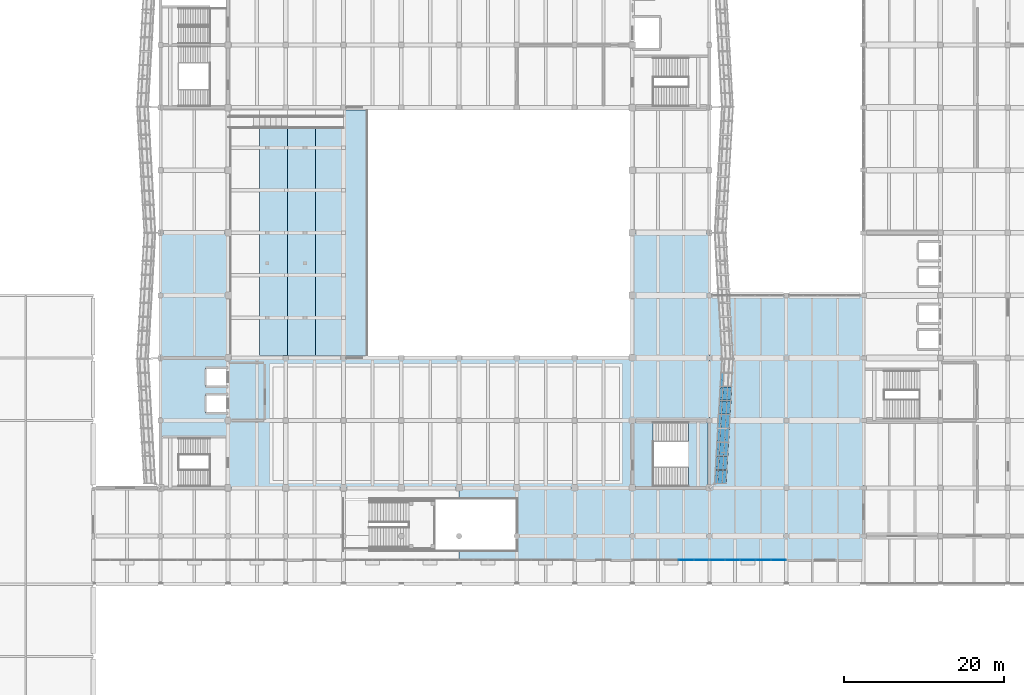
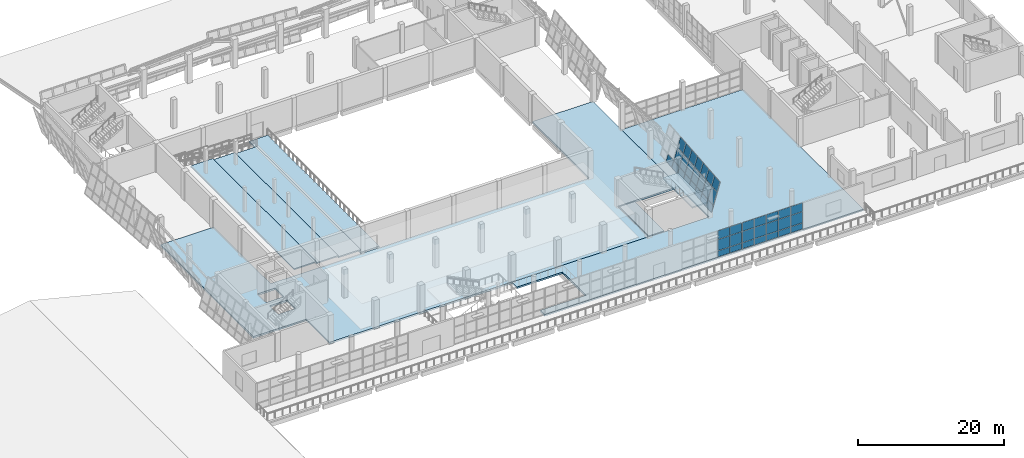
# One storey, part 51 of 79: 43 plates, 8 slabs, 4 elements without a shape of their own.
"""IFC4 building model written with IfcOpenShell, lengths in metres."""

from ifc_helpers import new_model, si_unit, direction, frame, origin, place, context, subcontext, project, spatial, polyline, outline, extrude, material, layer, layer_set, type_object, element, aggregate, save


model = new_model("IFC4")

# Units and contexts
model_context = context("Model", 3, precision=1e-05, world=origin(), true_north=direction((0.0, 1.0)))
body_context = subcontext(model_context, "Body", "Model", "MODEL_VIEW")
ifc_project = project(units=[si_unit("LENGTHUNIT", "METRE"), si_unit("AREAUNIT", "SQUARE_METRE"), si_unit("VOLUMEUNIT", "CUBIC_METRE"), si_unit("PLANEANGLEUNIT", "RADIAN"), si_unit("MASSUNIT", "GRAM", prefix="KILO")], contexts=[model_context])

# Site, building, storey
site_placement = place(None, origin())
site = spatial("IfcSite", under=ifc_project, at=site_placement, CompositionType="ELEMENT")
building_placement = place(site_placement, origin())
building = spatial("IfcBuilding", under=site, at=building_placement, Name="Pellamere Symphony Hall", CompositionType="ELEMENT")
storey_placement = place(building_placement, frame((0.0, 0.0, 10.199951171875)))
storey = spatial("IfcBuildingStorey", under=building, at=storey_placement, Name="L02", CompositionType="ELEMENT", Elevation=10.199951171875)

# Curtain wall, plates
ifc_material_1 = material(Name="Thermally Broken Anodised Aluminium 6063-T6 Curtain Wall", Category="aluminium")
curtain_wall_type_1 = type_object("IfcCurtainWallType", Name="Curtain Wall CW-01 (Tilted Faceted Crystal Low-Iron Curtain Wall)", PredefinedType="NOTDEFINED", material=ifc_material_1)
curtain_wall_1_placement = place(storey_placement, origin())
curtain_wall_1 = element("IfcCurtainWall", 1, at=curtain_wall_1_placement, inside=storey, type_object=curtain_wall_type_1, Name="Crystal Faceted Curtain Wall CW-CR06 (L02)", PredefinedType="NOTDEFINED")
ifc_material_2 = material(Name="Pre-Weathered Quartz-Zinc Faceted Cladding Cassette", Category="aluminium")
ifc_layer_1 = layer(ifc_material_2, 0.0400390625, Name="Pre-Weathered Quartz-Zinc Faceted Cladding Cassette")
ifc_layer_set_1 = layer_set([ifc_layer_1], Name="Pre-Weathered Quartz-Zinc Faceted Cladding Cassette")
plate_type_1 = type_object("IfcPlateType", Name="Facade Panel CL-01 40mm", PredefinedType="CURTAIN_PANEL", material=ifc_layer_set_1)
plate_1_placement = place(storey_placement, frame((119.4755859375, 30.574951171875, 0.072021484375), z_axis=(-0.957350518643, 0.055228987595, 0.283601381137), x_axis=(0.057593652861, 0.998340107954, 0.0)))
plate_1 = element("IfcPlate", 2, at=plate_1_placement, type_object=plate_type_1, Name="CW1-006 crystal glass panel 1.1", PredefinedType="CURTAIN_PANEL", context=body_context, shape_type="SweptSolid", body=[
    extrude(outline(polyline([(0.0, 0.0), (1.6235445180063734, 3.469446951953614e-18), (1.6413597421702713, -1.0888971082762222), (0.01781522416389773, -1.0888971082762222), (0.0, 0.0)])), origin(), (0.0, 0.0, -1.0), 0.0400390625),
])
plate_2_placement = place(storey_placement, frame((119.80615234375, 30.574951171875, 1.18798828125), z_axis=(-0.957348061132, 0.055228845822, 0.283609704409), x_axis=(0.057593652861, 0.998340107954, 0.0)))
plate_2 = element("IfcPlate", 3, at=plate_2_placement, type_object=plate_type_1, Name="CW1-006 crystal glass panel 1.2", PredefinedType="CURTAIN_PANEL", context=body_context, shape_type="SweptSolid", body=[
    extrude(outline(polyline([(0.0, 0.0), (1.6235445180063734, 3.469446951953614e-18), (1.6567143000131885, -2.027334564264273), (0.033169782006815106, -2.027334564264273), (0.0, 0.0)])), origin(), (0.0, 0.0, -1.0), 0.0400390625),
])
plate_3_placement = place(storey_placement, frame((120.4033203125, 30.574951171875, 3.2041015625), z_axis=(-0.957354812195, 0.055229235287, 0.283586838793), x_axis=(0.057593652861, 0.998340107954, 0.0)))
plate_3 = element("IfcPlate", 4, at=plate_3_placement, type_object=plate_type_1, Name="CW1-006 crystal glass panel 1.3", PredefinedType="CURTAIN_PANEL", context=body_context, shape_type="SweptSolid", body=[
    extrude(outline(polyline([(0.0, 0.0), (1.6235445180063734, 6.938893903907228e-18), (1.6495432153063316, -1.589166534275083), (0.02599869729995809, -1.589166534275083), (0.0, 0.0)])), origin(), (0.0, 0.0, -1.0), 0.0400390625),
])
plate_4_placement = place(storey_placement, frame((119.573486328125, 32.270751953125, 0.072021484375), z_axis=(-0.957349655397, 0.055245262022, 0.283601125412), x_axis=(0.057610619545, 0.998339129012, 0.0)))
plate_4 = element("IfcPlate", 5, at=plate_4_placement, type_object=plate_type_1, Name="CW1-006 crystal glass panel 2.1", PredefinedType="CURTAIN_PANEL", context=body_context, shape_type="SweptSolid", body=[
    extrude(outline(polyline([(0.0, 0.0), (1.6612063149993754, -3.469446951953614e-18), (1.67902678740273, -1.0888970223981924), (0.017820472403354506, -1.0888970223981924), (0.0, 0.0)])), origin(), (0.0, 0.0, -1.0), 0.0400390625),
])
plate_5_placement = place(storey_placement, frame((119.904052734375, 32.270751953125, 1.18798828125), z_axis=(-0.957347197893, 0.055245120208, 0.283609448679), x_axis=(0.057610619545, 0.998339129012, 0.0)))
plate_5 = element("IfcPlate", 6, at=plate_5_placement, type_object=plate_type_1, Name="CW1-006 crystal glass panel 2.2", PredefinedType="CURTAIN_PANEL", context=body_context, shape_type="SweptSolid", body=[
    extrude(outline(polyline([(0.0, 0.0), (1.6612063149993754, -6.938893903907228e-18), (1.6943858685901516, -2.0273344043651265), (0.03317955359077607, -2.0273344043651265), (0.0, 0.0)])), origin(), (0.0, 0.0, -1.0), 0.0400390625),
])
plate_6_placement = place(storey_placement, frame((120.501220703125, 32.270751953125, 3.2041015625), z_axis=(-0.957353948937, 0.055245509787, 0.28358658308), x_axis=(0.057610619545, 0.998339129012, 0.0)))
plate_6 = element("IfcPlate", 7, at=plate_6_placement, type_object=plate_type_1, Name="CW1-006 crystal glass panel 2.3", PredefinedType="CURTAIN_PANEL", context=body_context, shape_type="SweptSolid", body=[
    extrude(outline(polyline([(0.0, 0.0), (1.6612063149993754, 0.0), (1.68721267133229, -1.5891664089551663), (0.02600635633291435, -1.5891664089551663), (0.0, 0.0)])), origin(), (0.0, 0.0, -1.0), 0.0400390625),
])
plate_7_placement = place(storey_placement, frame((119.67333984375, 34.004150390625, 0.072021484375), z_axis=(-0.957349655397, 0.055245262022, 0.283601125412), x_axis=(0.057610619545, 0.998339129012, 0.0)))
plate_7 = element("IfcPlate", 8, at=plate_7_placement, type_object=plate_type_1, Name="CW1-006 crystal glass panel 3.1", PredefinedType="CURTAIN_PANEL", context=body_context, shape_type="SweptSolid", body=[
    extrude(outline(polyline([(0.0, 0.0), (1.6612063149993754, -3.469446951953614e-18), (1.67902678740273, -1.0888970223981924), (0.017820472403354506, -1.0888970223981924), (0.0, 0.0)])), origin(), (0.0, 0.0, -1.0), 0.0400390625),
])
plate_8_placement = place(storey_placement, frame((120.004150390625, 34.004150390625, 1.18798828125), z_axis=(-0.957367242492, 0.055175809721, 0.283555273316), x_axis=(0.057531491242, 0.99834369188, -1.9948326e-05)))
plate_8 = element("IfcPlate", 9, at=plate_8_placement, type_object=plate_type_1, Name="CW1-006 crystal glass panel 3.2", PredefinedType="CURTAIN_PANEL", context=body_context, shape_type="SweptSolid", body=[
    extrude(outline(polyline([(0.0, 0.0), (1.6611922636766812, 0.0), (1.694287463706593, -2.027335779780024), (0.03308115425568296, -2.027266666811499), (0.0, 0.0)])), origin(), (0.0, 0.0, -1.0), 0.0400390625),
])
plate_9_placement = place(storey_placement, frame((120.601318359375, 34.004150390625, 3.2041015625), z_axis=(-0.957336851306, 0.05517405819, 0.283658203539), x_axis=(0.057531486966, 0.998343692127, -1.9954933e-05)))
plate_9 = element("IfcPlate", 10, at=plate_9_placement, type_object=plate_type_1, Name="CW1-006 crystal glass panel 3.3", PredefinedType="CURTAIN_PANEL", context=body_context, shape_type="SweptSolid", body=[
    extrude(outline(polyline([(0.0, 0.0), (1.661192263676942, -3.469446951953614e-18), (1.6871465342317957, -1.5892366235665916), (0.025940224781668787, -1.5891674855101419), (0.0, 0.0)])), origin(), (0.0, 0.0, -1.0), 0.0400390625),
])
plate_10_placement = place(storey_placement, frame((119.7734375, 35.737548828125, 0.072021484375), z_axis=(-0.957349655397, 0.055245262022, 0.283601125412), x_axis=(0.057610619545, 0.998339129012, 0.0)))
plate_10 = element("IfcPlate", 11, at=plate_10_placement, type_object=plate_type_1, Name="CW1-006 crystal glass panel 4.1", PredefinedType="CURTAIN_PANEL", context=body_context, shape_type="SweptSolid", body=[
    extrude(outline(polyline([(0.0, 0.0), (1.6612063149993754, -3.469446951953614e-18), (1.67902678740273, -1.0888970223981924), (0.017820472403354506, -1.0888970223981924), (0.0, 0.0)])), origin(), (0.0, 0.0, -1.0), 0.0400390625),
])
plate_11_placement = place(storey_placement, frame((120.10400390625, 35.737548828125, 1.18798828125), z_axis=(-0.957347197893, 0.055245120208, 0.283609448679), x_axis=(0.057610619545, 0.998339129012, 0.0)))
plate_11 = element("IfcPlate", 12, at=plate_11_placement, type_object=plate_type_1, Name="CW1-006 crystal glass panel 4.2", PredefinedType="CURTAIN_PANEL", context=body_context, shape_type="SweptSolid", body=[
    extrude(outline(polyline([(0.0, 0.0), (1.6612063149993754, -6.938893903907228e-18), (1.6943858685901516, -2.0273344043651265), (0.03317955359077607, -2.0273344043651265), (0.0, 0.0)])), origin(), (0.0, 0.0, -1.0), 0.0400390625),
])
plate_12_placement = place(storey_placement, frame((120.701171875, 35.737548828125, 3.2041015625), z_axis=(-0.957353948937, 0.055245509787, 0.28358658308), x_axis=(0.057610619545, 0.998339129012, 0.0)))
plate_12 = element("IfcPlate", 13, at=plate_12_placement, type_object=plate_type_1, Name="CW1-006 crystal glass panel 4.3", PredefinedType="CURTAIN_PANEL", context=body_context, shape_type="SweptSolid", body=[
    extrude(outline(polyline([(0.0, 0.0), (1.6612063149993754, 0.0), (1.68721267133229, -1.5891664089551663), (0.02600635633291435, -1.5891664089551663), (0.0, 0.0)])), origin(), (0.0, 0.0, -1.0), 0.0400390625),
])
plate_13_placement = place(storey_placement, frame((119.87353515625, 37.470703125, 0.072021484375), z_axis=(-0.957383762164, 0.055176761797, 0.283499306706), x_axis=(0.057543266432, 0.998343013243, 1.9944564e-05)))
plate_13 = element("IfcPlate", 14, at=plate_13_placement, type_object=plate_type_1, Name="CW1-006 crystal glass panel 5.1", PredefinedType="CURTAIN_PANEL", context=body_context, shape_type="SweptSolid", body=[
    extrude(outline(polyline([(0.0, 0.0), (1.6612063108884592, 0.0), (1.6790127264650492, -1.0888279175173945), (0.017820464225621006, -1.0888970162604688), (0.0, 0.0)])), origin(), (0.0, 0.0, -1.0), 0.0400390625),
])
plate_14_placement = place(storey_placement, frame((120.2041015625, 37.470703125, 1.18798828125), z_axis=(-0.957379835106, 0.055247003586, 0.283498888758), x_axis=(0.057610619545, 0.998339129012, 0.0)))
plate_14 = element("IfcPlate", 15, at=plate_14_placement, type_object=plate_type_1, Name="CW1-006 crystal glass panel 5.2", PredefinedType="CURTAIN_PANEL", context=body_context, shape_type="SweptSolid", body=[
    extrude(outline(polyline([(0.0, 0.0), (1.6612063149993754, 3.469446951953614e-18), (1.694371803497489, -2.0272652922501933), (0.03316548849811359, -2.0272652922501933), (0.0, 0.0)])), origin(), (0.0, 0.0, -1.0), 0.0400390625),
])
plate_15_placement = place(storey_placement, frame((120.80126953125, 37.470703125, 3.2041015625), z_axis=(-0.957353948937, 0.055245509787, 0.28358658308), x_axis=(0.057610619545, 0.998339129012, 0.0)))
plate_15 = element("IfcPlate", 16, at=plate_15_placement, type_object=plate_type_1, Name="CW1-006 crystal glass panel 5.3", PredefinedType="CURTAIN_PANEL", context=body_context, shape_type="SweptSolid", body=[
    extrude(outline(polyline([(0.0, 0.0), (1.6612063149993754, 0.0), (1.68721267133229, -1.5891664089551663), (0.02600635633291435, -1.5891664089551663), (0.0, 0.0)])), origin(), (0.0, 0.0, -1.0), 0.0400390625),
])
plate_16_placement = place(storey_placement, frame((119.973388671875, 39.2041015625, 0.072021484375), z_axis=(-0.957349655397, 0.055245262022, 0.283601125412), x_axis=(0.057610619545, 0.998339129012, 0.0)))
plate_16 = element("IfcPlate", 17, at=plate_16_placement, type_object=plate_type_1, Name="CW1-006 crystal glass panel 6.1", PredefinedType="CURTAIN_PANEL", context=body_context, shape_type="SweptSolid", body=[
    extrude(outline(polyline([(0.0, 0.0), (1.6612063149993754, -3.469446951953614e-18), (1.67902678740273, -1.0888970223981924), (0.017820472403354506, -1.0888970223981924), (0.0, 0.0)])), origin(), (0.0, 0.0, -1.0), 0.0400390625),
])
plate_17_placement = place(storey_placement, frame((120.303955078125, 39.2041015625, 1.18798828125), z_axis=(-0.957347197893, 0.055245120208, 0.283609448679), x_axis=(0.057610619545, 0.998339129012, 0.0)))
plate_17 = element("IfcPlate", 18, at=plate_17_placement, type_object=plate_type_1, Name="CW1-006 crystal glass panel 6.2", PredefinedType="CURTAIN_PANEL", context=body_context, shape_type="SweptSolid", body=[
    extrude(outline(polyline([(0.0, 0.0), (1.6612063149993754, -6.938893903907228e-18), (1.6943858685901516, -2.0273344043651265), (0.03317955359077607, -2.0273344043651265), (0.0, 0.0)])), origin(), (0.0, 0.0, -1.0), 0.0400390625),
])
plate_18_placement = place(storey_placement, frame((120.901123046875, 39.2041015625, 3.2041015625), z_axis=(-0.957353948937, 0.055245509787, 0.28358658308), x_axis=(0.057610619545, 0.998339129012, 0.0)))
plate_18 = element("IfcPlate", 19, at=plate_18_placement, type_object=plate_type_1, Name="CW1-006 crystal glass panel 6.3", PredefinedType="CURTAIN_PANEL", context=body_context, shape_type="SweptSolid", body=[
    extrude(outline(polyline([(0.0, 0.0), (1.6612063149993754, 0.0), (1.68721267133229, -1.5891664089551663), (0.02600635633291435, -1.5891664089551663), (0.0, 0.0)])), origin(), (0.0, 0.0, -1.0), 0.0400390625),
])
plate_19_placement = place(storey_placement, frame((120.073486328125, 40.9375, 0.072021484375), z_axis=(-0.957349655397, 0.055245262022, 0.283601125412), x_axis=(0.057610619545, 0.998339129012, 0.0)))
plate_19 = element("IfcPlate", 20, at=plate_19_placement, type_object=plate_type_1, Name="CW1-006 crystal glass panel 7.1", PredefinedType="CURTAIN_PANEL", context=body_context, shape_type="SweptSolid", body=[
    extrude(outline(polyline([(0.0, 0.0), (1.6612063149993754, -3.469446951953614e-18), (1.67902678740273, -1.0888970223981924), (0.017820472403354506, -1.0888970223981924), (0.0, 0.0)])), origin(), (0.0, 0.0, -1.0), 0.0400390625),
])
plate_20_placement = place(storey_placement, frame((120.404052734375, 40.9375, 1.18798828125), z_axis=(-0.957347197893, 0.055245120208, 0.283609448679), x_axis=(0.057610619545, 0.998339129012, 0.0)))
plate_20 = element("IfcPlate", 21, at=plate_20_placement, type_object=plate_type_1, Name="CW1-006 crystal glass panel 7.2", PredefinedType="CURTAIN_PANEL", context=body_context, shape_type="SweptSolid", body=[
    extrude(outline(polyline([(0.0, 0.0), (1.6612063149993754, -6.938893903907228e-18), (1.6943858685901516, -2.0273344043651265), (0.03317955359077607, -2.0273344043651265), (0.0, 0.0)])), origin(), (0.0, 0.0, -1.0), 0.0400390625),
])
plate_21_placement = place(storey_placement, frame((121.001220703125, 40.9375, 3.2041015625), z_axis=(-0.957353948937, 0.055245509787, 0.28358658308), x_axis=(0.057610619545, 0.998339129012, 0.0)))
plate_21 = element("IfcPlate", 22, at=plate_21_placement, type_object=plate_type_1, Name="CW1-006 crystal glass panel 7.3", PredefinedType="CURTAIN_PANEL", context=body_context, shape_type="SweptSolid", body=[
    extrude(outline(polyline([(0.0, 0.0), (1.6612063149993754, 0.0), (1.68721267133229, -1.5891664089551663), (0.02600635633291435, -1.5891664089551663), (0.0, 0.0)])), origin(), (0.0, 0.0, -1.0), 0.0400390625),
])
plate_22_placement = place(storey_placement, frame((120.17333984375, 42.670654296875, 0.072021484375), z_axis=(-0.957350085432, 0.055237155356, 0.283601252804), x_axis=(0.057602168051, 0.998339616682, 0.0)))
plate_22 = element("IfcPlate", 23, at=plate_22_placement, type_object=plate_type_1, Name="CW1-006 crystal glass panel 8.1", PredefinedType="CURTAIN_PANEL", context=body_context, shape_type="SweptSolid", body=[
    extrude(outline(polyline([(0.0, 0.0), (1.6614500501978287, -3.469446951953614e-18), (1.6792679083327753, -1.088897065179171), (0.017817858134946473, -1.088897065179171), (0.0, 0.0)])), origin(), (0.0, 0.0, -1.0), 0.0400390625),
])
aggregate(curtain_wall_1, [plate_1, plate_2, plate_3, plate_4, plate_5, plate_6, plate_7, plate_8, plate_9, plate_10, plate_11, plate_12, plate_13, plate_14, plate_15, plate_16, plate_17, plate_18, plate_19, plate_20, plate_21, plate_22])

curtain_wall_type_2 = type_object("IfcCurtainWallType", Name="Curtain Wall CW-02 (Winter-Garden South Concourse Curtain Wall)", PredefinedType="NOTDEFINED", material=ifc_material_1)
curtain_wall_2_placement = place(storey_placement, origin())
curtain_wall_2 = element("IfcCurtainWall", 24, at=curtain_wall_2_placement, inside=storey, type_object=curtain_wall_type_2, Name="Winter-Garden South Curtain Wall (L02 Bay 10)", PredefinedType="NOTDEFINED")
ifc_material_3 = material(Name="Triple Low-E Argon Acoustic Glazing 36mm", Category="glass")
ifc_layer_2 = layer(ifc_material_3, 0.035888671875, Name="Triple Low-E Argon Acoustic Glazing 36mm")
ifc_layer_set_2 = layer_set([ifc_layer_2], Name="Triple Low-E Argon Acoustic Glazing 36mm")
plate_type_2 = type_object("IfcPlateType", Name="Facade Panel GL-01 36mm", PredefinedType="CURTAIN_PANEL", material=ifc_layer_set_2)
plate_23_placement = place(storey_placement, frame((114.992431640625, 21.0, 0.06494140625), z_axis=(0.0, -1.0, 0.0), x_axis=(1.0, 0.0, 0.0)))
plate_23 = element("IfcPlate", 25, at=plate_23_placement, type_object=plate_type_2, Name="CW2-084 crystal glass panel 4.1", PredefinedType="CURTAIN_PANEL", context=body_context, shape_type="SweptSolid", body=[
    extrude(outline(polyline([(0.0, 0.0), (1.85498046875, 0.0), (1.85498046875, 0.982666015625), (0.0, 0.982666015625), (0.0, 0.0)])), origin(), (0.0, 0.0, -1.0), 0.035888671875),
])
plate_24_placement = place(storey_placement, frame((114.992431640625, 21.0, 1.112548828125), z_axis=(0.0, -1.0, 0.0), x_axis=(1.0, 0.0, 0.0)))
plate_24 = element("IfcPlate", 26, at=plate_24_placement, type_object=plate_type_2, Name="CW2-084 crystal glass panel 4.2", PredefinedType="CURTAIN_PANEL", context=body_context, shape_type="SweptSolid", body=[
    extrude(outline(polyline([(0.0, 0.0), (1.85498046875, 0.0), (1.85498046875, 1.824951171875), (0.0, 1.824951171875), (0.0, 0.0)])), origin(), (0.0, 0.0, -1.0), 0.035888671875),
])
plate_25_placement = place(storey_placement, frame((114.992431640625, 21.0, 3.00244140625), z_axis=(0.0, -1.0, 0.0), x_axis=(1.0, 0.0, 0.0)))
plate_25 = element("IfcPlate", 27, at=plate_25_placement, type_object=plate_type_2, Name="CW2-084 crystal glass panel 4.3", PredefinedType="CURTAIN_PANEL", context=body_context, shape_type="SweptSolid", body=[
    extrude(outline(polyline([(0.0, 0.0), (1.85498046875, 0.0), (1.85498046875, 1.4326171875), (0.0, 1.4326171875), (0.0, 0.0)])), origin(), (0.0, 0.0, -1.0), 0.035888671875),
])
plate_26_placement = place(storey_placement, frame((116.91259765625, 21.0, 0.06494140625), z_axis=(0.0, -1.0, 0.0), x_axis=(1.0, 0.0, 0.0)))
plate_26 = element("IfcPlate", 28, at=plate_26_placement, type_object=plate_type_2, Name="CW2-084 crystal glass panel 5.1", PredefinedType="CURTAIN_PANEL", context=body_context, shape_type="SweptSolid", body=[
    extrude(outline(polyline([(0.0, 0.0), (1.822509765625, 0.0), (1.822509765625, 0.982666015625), (0.0, 0.982666015625), (0.0, 0.0)])), origin(), (0.0, 0.0, -1.0), 0.035888671875),
])
plate_27_placement = place(storey_placement, frame((116.91259765625, 21.0, 1.112548828125), z_axis=(0.0, -1.0, 0.0), x_axis=(1.0, 0.0, 0.0)))
plate_27 = element("IfcPlate", 29, at=plate_27_placement, type_object=plate_type_2, Name="CW2-084 crystal glass panel 5.2", PredefinedType="CURTAIN_PANEL", context=body_context, shape_type="SweptSolid", body=[
    extrude(outline(polyline([(0.0, 0.0), (1.822509765625, 0.0), (1.822509765625, 1.824951171875), (0.0, 1.824951171875), (0.0, 0.0)])), origin(), (0.0, 0.0, -1.0), 0.035888671875),
])
plate_28_placement = place(storey_placement, frame((116.91259765625, 21.0, 3.00244140625), z_axis=(0.0, -1.0, 0.0), x_axis=(1.0, 0.0, 0.0)))
plate_28 = element("IfcPlate", 30, at=plate_28_placement, type_object=plate_type_2, Name="CW2-084 crystal glass panel 5.3", PredefinedType="CURTAIN_PANEL", context=body_context, shape_type="SweptSolid", body=[
    extrude(outline(polyline([(0.0, 0.0), (1.822509765625, 0.0), (1.822509765625, 1.4326171875), (0.0, 1.4326171875), (0.0, 0.0)])), origin(), (0.0, 0.0, -1.0), 0.035888671875),
])
aggregate(curtain_wall_2, [plate_23, plate_24, plate_25, plate_26, plate_27, plate_28])

curtain_wall_3_placement = place(storey_placement, origin())
curtain_wall_3 = element("IfcCurtainWall", 31, at=curtain_wall_3_placement, inside=storey, type_object=curtain_wall_type_2, Name="Winter-Garden South Curtain Wall (L02 Bay 11)", PredefinedType="NOTDEFINED")
plate_29_placement = place(storey_placement, frame((118.864990234375, 21.0, 0.06494140625), z_axis=(0.0, -1.0, 0.0), x_axis=(1.0, 0.0, 0.0)))
plate_29 = element("IfcPlate", 32, at=plate_29_placement, type_object=plate_type_2, Name="CW2-085 crystal glass panel 1.1", PredefinedType="CURTAIN_PANEL", context=body_context, shape_type="SweptSolid", body=[
    extrude(outline(polyline([(0.0, 0.0), (1.822509765625, 0.0), (1.822509765625, 0.982666015625), (0.0, 0.982666015625), (0.0, 0.0)])), origin(), (0.0, 0.0, -1.0), 0.035888671875),
])
plate_30_placement = place(storey_placement, frame((118.864990234375, 21.0, 1.112548828125), z_axis=(0.0, -1.0, 0.0), x_axis=(1.0, 0.0, 0.0)))
plate_30 = element("IfcPlate", 33, at=plate_30_placement, type_object=plate_type_2, Name="CW2-085 crystal glass panel 1.2", PredefinedType="CURTAIN_PANEL", context=body_context, shape_type="SweptSolid", body=[
    extrude(outline(polyline([(0.0, 0.0), (1.822509765625, 0.0), (1.822509765625, 1.824951171875), (0.0, 1.824951171875), (0.0, 0.0)])), origin(), (0.0, 0.0, -1.0), 0.035888671875),
])
plate_31_placement = place(storey_placement, frame((118.864990234375, 21.0, 3.00244140625), z_axis=(0.0, -1.0, 0.0), x_axis=(1.0, 0.0, 0.0)))
plate_31 = element("IfcPlate", 34, at=plate_31_placement, type_object=plate_type_2, Name="CW2-085 crystal glass panel 1.3", PredefinedType="CURTAIN_PANEL", context=body_context, shape_type="SweptSolid", body=[
    extrude(outline(polyline([(0.0, 0.0), (1.822509765625, 0.0), (1.822509765625, 1.4326171875), (0.0, 1.4326171875), (0.0, 0.0)])), origin(), (0.0, 0.0, -1.0), 0.035888671875),
])
plate_32_placement = place(storey_placement, frame((120.75244140625, 21.0, 0.06494140625), z_axis=(0.0, -1.0, 0.0), x_axis=(1.0, 0.0, 0.0)))
plate_32 = element("IfcPlate", 35, at=plate_32_placement, type_object=plate_type_2, Name="CW2-085 crystal glass panel 2.1", PredefinedType="CURTAIN_PANEL", context=body_context, shape_type="SweptSolid", body=[
    extrude(outline(polyline([(0.0, 0.0), (1.85498046875, 0.0), (1.85498046875, 0.982666015625), (0.0, 0.982666015625), (0.0, 0.0)])), origin(), (0.0, 0.0, -1.0), 0.035888671875),
])
plate_33_placement = place(storey_placement, frame((120.75244140625, 21.0, 1.112548828125), z_axis=(0.0, -1.0, 0.0), x_axis=(1.0, 0.0, 0.0)))
plate_33 = element("IfcPlate", 36, at=plate_33_placement, type_object=plate_type_2, Name="CW2-085 crystal glass panel 2.2", PredefinedType="CURTAIN_PANEL", context=body_context, shape_type="SweptSolid", body=[
    extrude(outline(polyline([(0.0, 0.0), (1.85498046875, 0.0), (1.85498046875, 1.824951171875), (0.0, 1.824951171875), (0.0, 0.0)])), origin(), (0.0, 0.0, -1.0), 0.035888671875),
])
plate_34_placement = place(storey_placement, frame((120.75244140625, 21.0, 3.00244140625), z_axis=(0.0, -1.0, 0.0), x_axis=(1.0, 0.0, 0.0)))
plate_34 = element("IfcPlate", 37, at=plate_34_placement, type_object=plate_type_2, Name="CW2-085 crystal glass panel 2.3", PredefinedType="CURTAIN_PANEL", context=body_context, shape_type="SweptSolid", body=[
    extrude(outline(polyline([(0.0, 0.0), (1.85498046875, 0.0), (1.85498046875, 1.4326171875), (0.0, 1.4326171875), (0.0, 0.0)])), origin(), (0.0, 0.0, -1.0), 0.035888671875),
])
plate_35_placement = place(storey_placement, frame((122.672607421875, 21.0, 0.06494140625), z_axis=(0.0, -1.0, 0.0), x_axis=(1.0, 0.0, 0.0)))
plate_35 = element("IfcPlate", 38, at=plate_35_placement, type_object=plate_type_2, Name="CW2-085 crystal glass panel 3.1", PredefinedType="CURTAIN_PANEL", context=body_context, shape_type="SweptSolid", body=[
    extrude(outline(polyline([(0.0, 0.0), (1.85498046875, 0.0), (1.85498046875, 0.982666015625), (0.0, 0.982666015625), (0.0, 0.0)])), origin(), (0.0, 0.0, -1.0), 0.035888671875),
])
plate_36_placement = place(storey_placement, frame((122.672607421875, 21.0, 1.112548828125), z_axis=(0.0, -1.0, 0.0), x_axis=(1.0, 0.0, 0.0)))
plate_36 = element("IfcPlate", 39, at=plate_36_placement, type_object=plate_type_2, Name="CW2-085 crystal glass panel 3.2", PredefinedType="CURTAIN_PANEL", context=body_context, shape_type="SweptSolid", body=[
    extrude(outline(polyline([(0.0, 0.0), (1.85498046875, 0.0), (1.85498046875, 1.824951171875), (0.0, 1.824951171875), (0.0, 0.0)])), origin(), (0.0, 0.0, -1.0), 0.035888671875),
])
plate_37_placement = place(storey_placement, frame((122.672607421875, 21.0, 3.00244140625), z_axis=(0.0, -1.0, 0.0), x_axis=(1.0, 0.0, 0.0)))
plate_37 = element("IfcPlate", 40, at=plate_37_placement, type_object=plate_type_2, Name="CW2-085 crystal glass panel 3.3", PredefinedType="CURTAIN_PANEL", context=body_context, shape_type="SweptSolid", body=[
    extrude(outline(polyline([(0.0, 0.0), (1.85498046875, 0.0), (1.85498046875, 1.4326171875), (0.0, 1.4326171875), (0.0, 0.0)])), origin(), (0.0, 0.0, -1.0), 0.035888671875),
])
plate_38_placement = place(storey_placement, frame((124.592529296875, 21.0, 0.06494140625), z_axis=(0.0, -1.0, 0.0), x_axis=(1.0, 0.0, 0.0)))
plate_38 = element("IfcPlate", 41, at=plate_38_placement, type_object=plate_type_2, Name="CW2-085 crystal glass panel 4.1", PredefinedType="CURTAIN_PANEL", context=body_context, shape_type="SweptSolid", body=[
    extrude(outline(polyline([(0.0, 0.0), (1.85498046875, 0.0), (1.85498046875, 0.982666015625), (0.0, 0.982666015625), (0.0, 0.0)])), origin(), (0.0, 0.0, -1.0), 0.035888671875),
])
plate_39_placement = place(storey_placement, frame((124.592529296875, 21.0, 1.112548828125), z_axis=(0.0, -1.0, 0.0), x_axis=(1.0, 0.0, 0.0)))
plate_39 = element("IfcPlate", 42, at=plate_39_placement, type_object=plate_type_2, Name="CW2-085 crystal glass panel 4.2", PredefinedType="CURTAIN_PANEL", context=body_context, shape_type="SweptSolid", body=[
    extrude(outline(polyline([(0.0, 0.0), (1.85498046875, 0.0), (1.85498046875, 1.824951171875), (0.0, 1.824951171875), (0.0, 0.0)])), origin(), (0.0, 0.0, -1.0), 0.035888671875),
])
plate_40_placement = place(storey_placement, frame((124.592529296875, 21.0, 3.00244140625), z_axis=(0.0, -1.0, 0.0), x_axis=(1.0, 0.0, 0.0)))
plate_40 = element("IfcPlate", 43, at=plate_40_placement, type_object=plate_type_2, Name="CW2-085 crystal glass panel 4.3", PredefinedType="CURTAIN_PANEL", context=body_context, shape_type="SweptSolid", body=[
    extrude(outline(polyline([(0.0, 0.0), (1.85498046875, 0.0), (1.85498046875, 1.4326171875), (0.0, 1.4326171875), (0.0, 0.0)])), origin(), (0.0, 0.0, -1.0), 0.035888671875),
])
plate_41_placement = place(storey_placement, frame((126.512451171875, 21.0, 0.06494140625), z_axis=(0.0, -1.0, 0.0), x_axis=(1.0, 0.0, 0.0)))
plate_41 = element("IfcPlate", 44, at=plate_41_placement, type_object=plate_type_2, Name="CW2-085 crystal glass panel 5.1", PredefinedType="CURTAIN_PANEL", context=body_context, shape_type="SweptSolid", body=[
    extrude(outline(polyline([(0.0, 0.0), (1.822509765625, 0.0), (1.822509765625, 0.982666015625), (0.0, 0.982666015625), (0.0, 0.0)])), origin(), (0.0, 0.0, -1.0), 0.035888671875),
])
plate_42_placement = place(storey_placement, frame((126.512451171875, 21.0, 1.112548828125), z_axis=(0.0, -1.0, 0.0), x_axis=(1.0, 0.0, 0.0)))
plate_42 = element("IfcPlate", 45, at=plate_42_placement, type_object=plate_type_2, Name="CW2-085 crystal glass panel 5.2", PredefinedType="CURTAIN_PANEL", context=body_context, shape_type="SweptSolid", body=[
    extrude(outline(polyline([(0.0, 0.0), (1.822509765625, 0.0), (1.822509765625, 1.824951171875), (0.0, 1.824951171875), (0.0, 0.0)])), origin(), (0.0, 0.0, -1.0), 0.035888671875),
])
plate_43_placement = place(storey_placement, frame((126.512451171875, 21.0, 3.00244140625), z_axis=(0.0, -1.0, 0.0), x_axis=(1.0, 0.0, 0.0)))
plate_43 = element("IfcPlate", 46, at=plate_43_placement, type_object=plate_type_2, Name="CW2-085 crystal glass panel 5.3", PredefinedType="CURTAIN_PANEL", context=body_context, shape_type="SweptSolid", body=[
    extrude(outline(polyline([(0.0, 0.0), (1.822509765625, 0.0), (1.822509765625, 1.4326171875), (0.0, 1.4326171875), (0.0, 0.0)])), origin(), (0.0, 0.0, -1.0), 0.035888671875),
])
aggregate(curtain_wall_3, [plate_29, plate_30, plate_31, plate_32, plate_33, plate_34, plate_35, plate_36, plate_37, plate_38, plate_39, plate_40, plate_41, plate_42, plate_43])

# Stair, slabs
ifc_material_4 = material(Name="Concrete 40 MPa", Category="concrete")
stair_type = type_object("IfcStairType", Name="Stair ST-A W2400", PredefinedType="HALF_TURN_STAIR", material=ifc_material_4)
stair_placement = place(storey_placement, origin())
stair = element("IfcStair", 47, at=stair_placement, inside=storey, type_object=stair_type, Name="Exit Stair ST08-L02 (L02 to L03)", PredefinedType="HALF_TURN_STAIR")
ifc_layer_3 = layer(ifc_material_4, 0.219970703125, Name="Concrete 40 MPa")
ifc_layer_set_3 = layer_set([ifc_layer_3], Name="Concrete 40 MPa")
slab_type_1 = type_object("IfcSlabType", Name="Stair Landing SL-01 220mm", PredefinedType="LANDING", material=ifc_layer_set_3)
slab_1_placement = place(storey_placement, frame((0.0, 0.0, -0.219970703125)))
slab_1 = element("IfcSlab", 48, at=slab_1_placement, type_object=slab_type_1, Name="Stair ST08-L02 Bottom Landing (L02)", PredefinedType="LANDING", context=body_context, shape_type="SweptSolid", body=[
    extrude(outline(polyline([(109.360107421875, 30.159912109375), (111.77490234375, 30.159912109375), (111.77490234375, 38.239990234375), (109.360107421875, 38.239990234375), (109.360107421875, 30.159912109375)])), origin(), (0.0, 0.0, 1.0), 0.219970703125),
])
slab_2_placement = place(storey_placement, frame((0.0, 0.0, 2.179931640625)))
slab_2 = element("IfcSlab", 49, at=slab_2_placement, type_object=slab_type_1, Name="Stair ST08-L02 Half Landing (L02)", PredefinedType="LANDING", context=body_context, shape_type="SweptSolid", body=[
    extrude(outline(polyline([(116.22509765625, 30.159912109375), (118.639892578125, 30.159912109375), (118.639892578125, 38.239990234375), (116.22509765625, 38.239990234375), (116.22509765625, 30.159912109375)])), origin(), (0.0, 0.0, 1.0), 0.22021484375),
])
aggregate(stair, [slab_1, slab_2])

# Slabs
ifc_material_5 = material(Name="Architectural warm-pigmented concrete 40 MPa", Category="concrete")
ifc_layer_4 = layer(ifc_material_5, 0.239990234375, Name="Architectural warm-pigmented concrete 40 MPa")
ifc_layer_set_4 = layer_set([ifc_layer_4], Name="Architectural warm-pigmented concrete 40 MPa")
slab_type_2 = type_object("IfcSlabType", Name="Stair Landing SL-02 240mm", PredefinedType="LANDING", material=ifc_layer_set_4)
slab_3_placement = place(storey_placement, frame((0.0, 0.0, -0.239990234375)))
element("IfcSlab", 50, at=slab_3_placement, inside=storey, type_object=slab_type_2, Name="Main Hall Upper Circle Cross-Aisle Concourse", PredefinedType="LANDING", context=body_context, shape_type="SweptSolid", body=[
    extrude(outline(polyline([(73.199951171875, 46.5), (76.199951171875, 46.5), (76.199951171875, 77.10009765625), (73.199951171875, 77.10009765625), (73.199951171875, 46.5)])), origin(), (0.0, 0.0, 1.0), 0.239990234375),
])
ifc_layer_5 = layer(ifc_material_4, 0.300048828125, Name="Concrete 40 MPa")
ifc_layer_set_5 = layer_set([ifc_layer_5], Name="Concrete 40 MPa")
slab_type_3 = type_object("IfcSlabType", Name="Structural Slab FS-02 300mm", PredefinedType="FLOOR", material=ifc_layer_set_5)
slab_4_placement = place(storey_placement, frame((0.0, 0.0, -0.300048828125)))
element("IfcSlab", 51, at=slab_4_placement, inside=storey, type_object=slab_type_3, Name="Floor Slab L02-V1S-1", PredefinedType="FLOOR", context=body_context, shape_type="SweptSolid", body=[
    extrude(outline(polyline([(58.800048828125, 61.800048828125), (58.800048828125, 46.199951171875), (109.199951171875, 46.199951171875), (109.199951171875, 61.800048828125), (118.800048828125, 61.800048828125), (118.800048828125, 38.39990234375), (109.199951171875, 38.39990234375), (109.199951171875, 30.0), (58.800048828125, 30.0), (58.800048828125, 36.39990234375), (50.39990234375, 36.39990234375), (50.39990234375, 61.800048828125), (58.800048828125, 61.800048828125)]), holes=[polyline([(58.800048828125, 41.675048828125), (56.0, 41.675048828125), (56.0, 39.324951171875), (58.800048828125, 39.324951171875), (58.800048828125, 41.675048828125)]), polyline([(58.800048828125, 44.97509765625), (56.0, 44.97509765625), (56.0, 42.625), (58.800048828125, 42.625), (58.800048828125, 44.97509765625)])]), origin(), (0.0, 0.0, 1.0), 0.300048828125),
])
ifc_layer_6 = layer(ifc_material_4, 0.280029296875, Name="Concrete 40 MPa")
ifc_layer_set_6 = layer_set([ifc_layer_6], Name="Concrete 40 MPa")
slab_type_4 = type_object("IfcSlabType", Name="Structural Slab FS-03 280mm", PredefinedType="FLOOR", material=ifc_layer_set_6)
slab_5_placement = place(storey_placement, frame((0.0, 0.0, -0.280029296875)))
element("IfcSlab", 52, at=slab_5_placement, inside=storey, type_object=slab_type_4, Name="Floor Slab L02-V4E-1", PredefinedType="FLOOR", context=body_context, shape_type="SweptSolid", body=[
    extrude(outline(polyline([(87.60009765625, 21.0), (87.60009765625, 22.199951171875), (94.800048828125, 22.199951171875), (94.800048828125, 28.60009765625), (87.60009765625, 28.60009765625), (87.60009765625, 30.0), (109.199951171875, 30.0), (118.800048828125, 30.0), (118.800048828125, 38.39990234375), (118.800048828125, 54.0), (138.0, 54.0), (138.0, 44.800048828125), (138.0, 38.39990234375), (138.0, 30.0), (138.0, 21.0), (87.60009765625, 21.0)])), origin(), (0.0, 0.0, 1.0), 0.280029296875),
])
ifc_material_6 = material(Name="Precast concrete 40 MPa", Category="concrete")
ifc_layer_7 = layer(ifc_material_6, 0.199951171875, Name="Precast concrete 40 MPa")
ifc_layer_set_7 = layer_set([ifc_layer_7], Name="Precast concrete 40 MPa")
slab_type_5 = type_object("IfcSlabType", Name="Structural Slab ST-T2 200mm", PredefinedType="USERDEFINED", material=ifc_layer_set_7)
slab_6_placement = place(storey_placement, frame((0.0, 0.0, 0.280029296875)))
element("IfcSlab", 53, at=slab_6_placement, inside=storey, type_object=slab_type_5, Name="Stand Upper Circle Bay 1", ObjectType="SEATING TIER", PredefinedType="USERDEFINED", context=body_context, shape_type="SweptSolid", body=[
    extrude(outline(polyline([(73.199951171875, 46.5), (69.699951171875, 46.5), (69.699951171875, 74.89990234375), (73.199951171875, 74.89990234375), (73.199951171875, 46.5)])), origin(), (0.0, 0.0, 1.0), 0.199951171875),
])
slab_7_placement = place(storey_placement, frame((0.0, 0.0, 0.5)))
element("IfcSlab", 54, at=slab_7_placement, inside=storey, type_object=slab_type_5, Name="Stand Upper Circle Bay 2", ObjectType="SEATING TIER", PredefinedType="USERDEFINED", context=body_context, shape_type="SweptSolid", body=[
    extrude(outline(polyline([(69.699951171875, 46.5), (66.199951171875, 46.5), (66.199951171875, 74.89990234375), (69.699951171875, 74.89990234375), (69.699951171875, 46.5)])), origin(), (0.0, 0.0, 1.0), 0.199951171875),
])
slab_8_placement = place(storey_placement, frame((0.0, 0.0, 0.719970703125)))
element("IfcSlab", 55, at=slab_8_placement, inside=storey, type_object=slab_type_5, Name="Stand Upper Circle Bay 3", ObjectType="SEATING TIER", PredefinedType="USERDEFINED", context=body_context, shape_type="SweptSolid", body=[
    extrude(outline(polyline([(66.199951171875, 46.5), (62.699951171875, 46.5), (62.699951171875, 74.89990234375), (66.199951171875, 74.89990234375), (66.199951171875, 46.5)])), origin(), (0.0, 0.0, 1.0), 0.2001953125),
])

save(model, "model.ifc")
